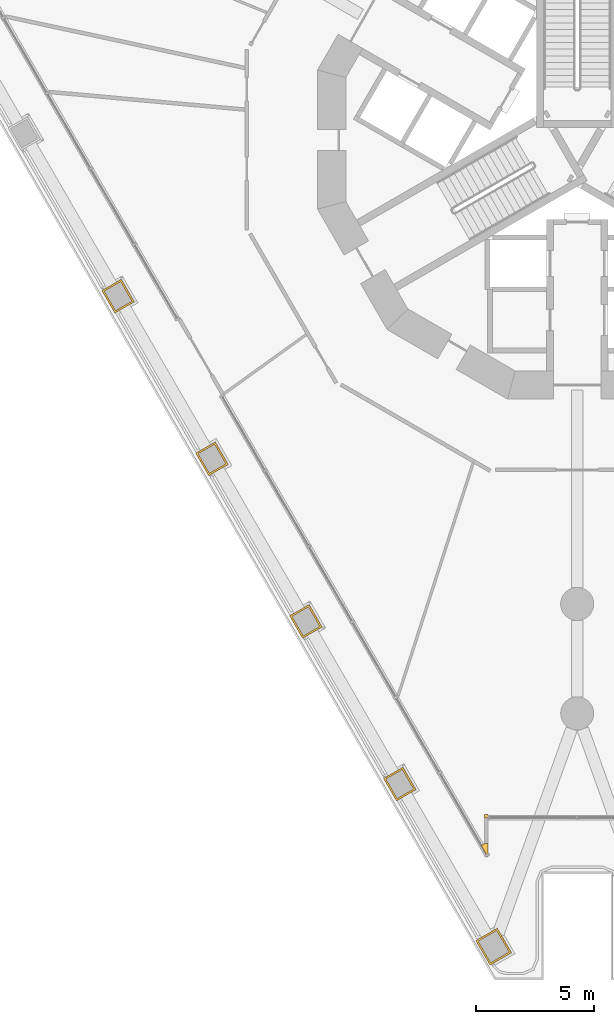
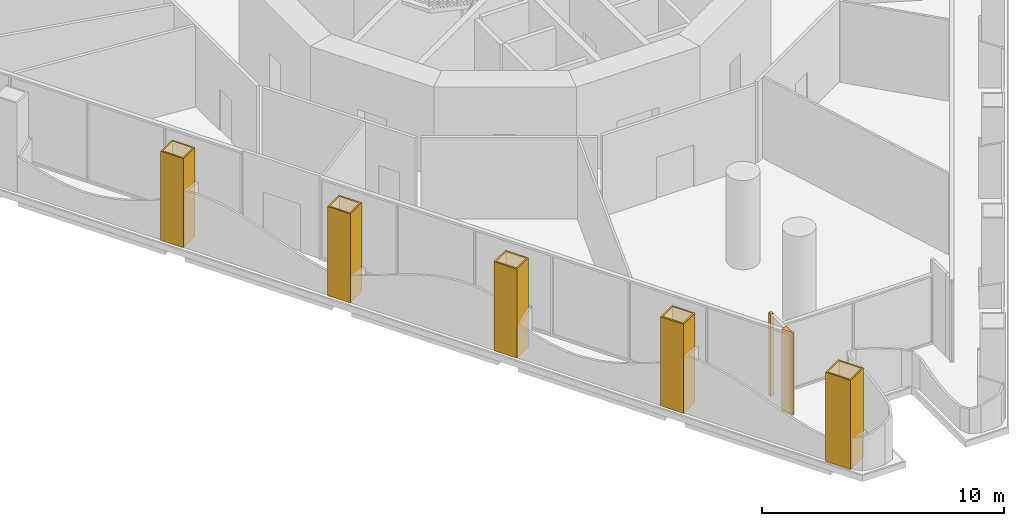
# One storey, part 14 of 21: 7 coverings.
"""IFC4 building model written with IfcOpenShell, lengths in metres."""

from ifc_helpers import new_model, si_unit, direction, frame, origin, place, context, subcontext, project, spatial, polyline, outline, extrude, material, layer, layer_set, type_object, element, save


model = new_model("IFC4")

# Units and contexts
model_context = context("Model", 3, precision=1e-05, world=origin(), true_north=direction((0.0, 1.0)))
body_context = subcontext(model_context, "Body", "Model", "MODEL_VIEW")
ifc_project = project(units=[si_unit("LENGTHUNIT", "METRE"), si_unit("AREAUNIT", "SQUARE_METRE"), si_unit("VOLUMEUNIT", "CUBIC_METRE"), si_unit("PLANEANGLEUNIT", "RADIAN"), si_unit("MASSUNIT", "GRAM", prefix="KILO")], contexts=[model_context])

# Site, building, storey
site_placement = place(None, origin())
site = spatial("IfcSite", under=ifc_project, at=site_placement, CompositionType="ELEMENT")
building_placement = place(site_placement, origin())
building = spatial("IfcBuilding", under=site, at=building_placement, Name="Trine Commons Tower", CompositionType="ELEMENT")
storey_placement = place(building_placement, frame((0.0, 0.0, 13.5)))
storey = spatial("IfcBuildingStorey", under=building, at=storey_placement, Name="L02", CompositionType="ELEMENT", Elevation=13.5)

# Coverings
ifc_material_1 = material(Name="Aluminium-framed insulated wall panel", Category="aluminium")
ifc_layer_1 = layer(ifc_material_1, 0.14990234375)
ifc_layer_set_1 = layer_set([ifc_layer_1], Name="Aluminium-framed insulated wall panel")
covering_type_1 = type_object("IfcCoveringType", Name="Glazing corner post, aluminium", PredefinedType="CLADDING", material=ifc_layer_set_1)
covering_1_placement = place(storey_placement, origin())
element("IfcCovering", 1, at=covering_1_placement, inside=storey, type_object=covering_type_1, Name="Glazing corner post 1-11", PredefinedType="CLADDING", context=body_context, shape_type="SweptSolid", body=[
    extrude(outline(polyline([(76.2099609375, 33.870849609375), (76.06005859375, 33.870849609375), (76.06005859375, 33.720703125), (76.2099609375, 33.720703125), (76.2099609375, 33.870849609375)])), origin(), (0.0, 0.0, 1.0), 4.14990234375),
])
covering_2_placement = place(storey_placement, origin())
element("IfcCovering", 2, at=covering_2_placement, inside=storey, type_object=covering_type_1, Name="Glazing corner post 1-12", PredefinedType="CLADDING", context=body_context, shape_type="SweptSolid", body=[
    extrude(outline(polyline([(75.93017578125, 32.56005859375), (76.2099609375, 32.0751953125), (76.2099609375, 32.635009765625), (76.06005859375, 32.635009765625), (75.93017578125, 32.56005859375)])), origin(), (0.0, 0.0, 1.0), 4.14990234375),
])
ifc_material_2 = material(Name="Limestone, honed", Category="masonry")
ifc_layer_2 = layer(ifc_material_2, 0.074951171875)
ifc_layer_set_2 = layer_set([ifc_layer_2], Name="Limestone, honed")
covering_type_2 = type_object("IfcCoveringType", Name="Limestone column cladding 75", PredefinedType="CLADDING", material=ifc_layer_set_2)
covering_3_placement = place(storey_placement, origin())
element("IfcCovering", 3, at=covering_3_placement, inside=storey, type_object=covering_type_2, Name="Limestone pier cladding 1-01", PredefinedType="CLADDING", context=body_context, shape_type="SweptSolid", body=[
    extrude(outline(polyline([(76.610107421875, 29.052001953125), (75.70068359375, 28.527099609375), (76.30078125, 27.48779296875), (77.210205078125, 28.012939453125), (76.610107421875, 29.052001953125)]), holes=[polyline([(76.582763671875, 28.94970703125), (75.80322265625, 28.499755859375), (76.328369140625, 27.59033203125), (77.107666015625, 28.040283203125), (76.582763671875, 28.94970703125)])]), origin(), (0.0, 0.0, 1.0), 4.5),
])
covering_4_placement = place(storey_placement, origin())
element("IfcCovering", 4, at=covering_4_placement, inside=storey, type_object=covering_type_2, Name="Limestone pier cladding 1-02", PredefinedType="CLADDING", context=body_context, shape_type="SweptSolid", body=[
    extrude(outline(polyline([(72.610107421875, 35.88037109375), (71.787353515625, 35.4052734375), (72.33740234375, 34.45263671875), (73.16015625, 34.927734375), (72.610107421875, 35.88037109375)]), holes=[polyline([(72.582763671875, 35.77783203125), (71.889892578125, 35.3779296875), (72.364990234375, 34.55517578125), (73.0576171875, 34.955078125), (72.582763671875, 35.77783203125)])]), origin(), (0.0, 0.0, 1.0), 4.5),
])
covering_5_placement = place(storey_placement, origin())
element("IfcCovering", 5, at=covering_5_placement, inside=storey, type_object=covering_type_2, Name="Limestone pier cladding 1-03", PredefinedType="CLADDING", context=body_context, shape_type="SweptSolid", body=[
    extrude(outline(polyline([(68.62841796875, 42.77685546875), (67.8056640625, 42.3017578125), (68.355712890625, 41.34912109375), (69.178466796875, 41.82421875), (68.62841796875, 42.77685546875)]), holes=[polyline([(68.60107421875, 42.67431640625), (67.908203125, 42.2744140625), (68.38330078125, 41.45166015625), (69.075927734375, 41.8515625), (68.60107421875, 42.67431640625)])]), origin(), (0.0, 0.0, 1.0), 4.5),
])
covering_6_placement = place(storey_placement, origin())
element("IfcCovering", 6, at=covering_6_placement, inside=storey, type_object=covering_type_2, Name="Limestone pier cladding 1-04", PredefinedType="CLADDING", context=body_context, shape_type="SweptSolid", body=[
    extrude(outline(polyline([(64.64697265625, 49.67333984375), (63.82421875, 49.1982421875), (64.3740234375, 48.24560546875), (65.197021484375, 48.720703125), (64.64697265625, 49.67333984375)]), holes=[polyline([(64.619384765625, 49.57080078125), (63.926513671875, 49.1708984375), (64.401611328125, 48.34814453125), (65.094482421875, 48.748046875), (64.619384765625, 49.57080078125)])]), origin(), (0.0, 0.0, 1.0), 4.5),
])
covering_7_placement = place(storey_placement, origin())
element("IfcCovering", 7, at=covering_7_placement, inside=storey, type_object=covering_type_2, Name="Limestone pier cladding 1-05", PredefinedType="CLADDING", context=body_context, shape_type="SweptSolid", body=[
    extrude(outline(polyline([(60.665283203125, 56.569580078125), (59.84228515625, 56.0947265625), (60.392333984375, 55.14208984375), (61.215087890625, 55.6171875), (60.665283203125, 56.569580078125)]), holes=[polyline([(60.6376953125, 56.46728515625), (59.94482421875, 56.0673828125), (60.419921875, 55.244384765625), (61.11279296875, 55.64453125), (60.6376953125, 56.46728515625)])]), origin(), (0.0, 0.0, 1.0), 4.5),
])

save(model, "model.ifc")
